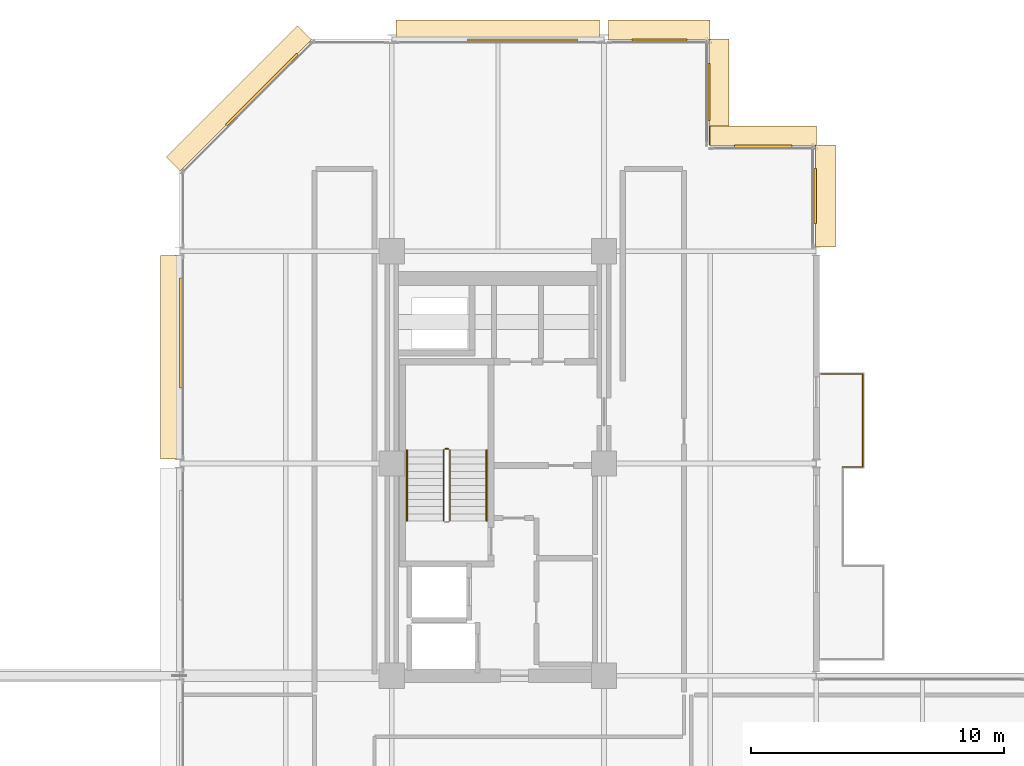
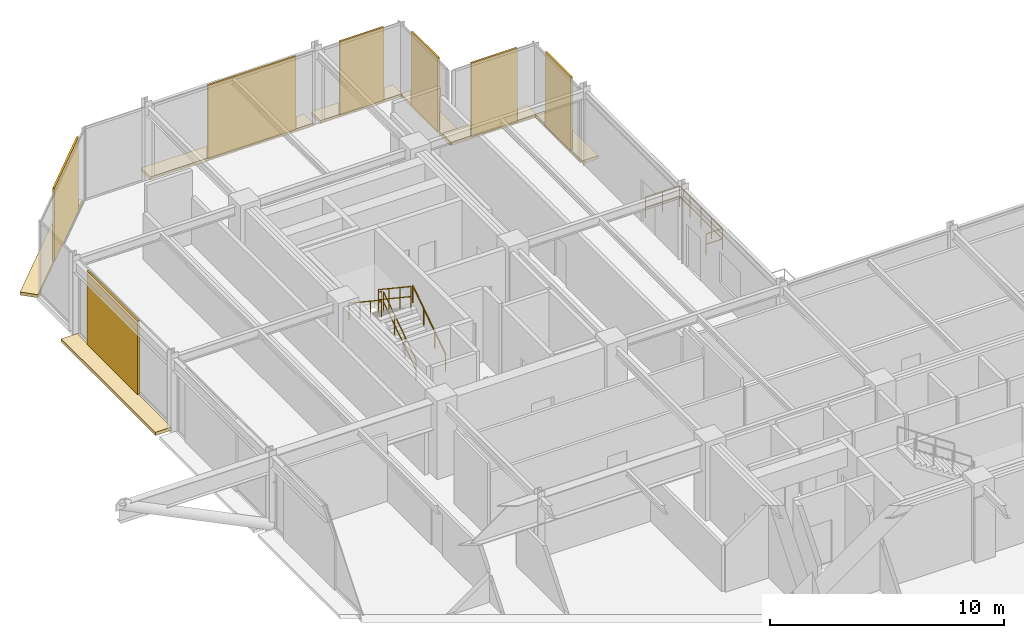
# One storey, part 30 of 30: 14 coverings, 8 railings.
"""IFC4 building model written with IfcOpenShell, lengths in metres."""

from ifc_helpers import new_model, si_unit, direction, frame, origin, origin_2d, place, context, subcontext, project, spatial, polyline, rectangle, circle, outline, extrude, material, layer, layer_set, type_object, element, save


model = new_model("IFC4")

# Units and contexts
model_context = context("Model", 3, precision=1e-05, world=origin(), true_north=direction((0.0, 1.0)))
body_context = subcontext(model_context, "Body", "Model", "MODEL_VIEW")
ifc_project = project(units=[si_unit("LENGTHUNIT", "METRE"), si_unit("AREAUNIT", "SQUARE_METRE"), si_unit("VOLUMEUNIT", "CUBIC_METRE"), si_unit("PLANEANGLEUNIT", "RADIAN"), si_unit("MASSUNIT", "GRAM", prefix="KILO")], contexts=[model_context])

# Site, building, storey
site_placement = place(None, origin())
site = spatial("IfcSite", under=ifc_project, at=site_placement, CompositionType="ELEMENT")
building_placement = place(site_placement, origin())
building = spatial("IfcBuilding", under=site, at=building_placement, Name="Nerrivon Quay Data Exchange", CompositionType="ELEMENT")
storey_placement = place(building_placement, frame((0.0, 0.0, 167.300048828125)))
storey = spatial("IfcBuildingStorey", under=building, at=storey_placement, Name="L39", CompositionType="ELEMENT", Elevation=167.300048828125)

# Coverings
ifc_material_1 = material(Name="Architectural terracotta ceramic", Category="masonry")
ifc_layer_1 = layer(ifc_material_1, 0.159912109375)
ifc_layer_set_1 = layer_set([ifc_layer_1], Name="Architectural terracotta ceramic")
covering_type_1 = type_object("IfcCoveringType", Name="COV-BLD-TERR", PredefinedType="CLADDING", material=ifc_layer_set_1)
covering_1_placement = place(storey_placement, frame((0.0, 0.0, -0.16015625)))
element("IfcCovering", 1, at=covering_1_placement, inside=storey, type_object=covering_type_1, Name="L39 Horizontal Terracotta SOLAR SCREEN Blade", PredefinedType="CLADDING", context=body_context, shape_type="SweptSolid", body=[
    extrude(outline(polyline([(0.0400390625, 33.77490234375), (0.0400390625, 41.824951171875), (-0.75, 41.824951171875), (-0.75, 33.77490234375), (0.0400390625, 33.77490234375)])), origin(), (0.0, 0.0, 1.0), 0.16015625),
])
covering_2_placement = place(storey_placement, frame((0.0, 0.0, -0.16015625)))
element("IfcCovering", 2, at=covering_2_placement, inside=storey, type_object=covering_type_1, Name="L39 Horizontal Terracotta SOLAR SCREEN Blade", PredefinedType="CLADDING", context=body_context, shape_type="SweptSolid", body=[
    extrude(outline(polyline([(0.0283203125, 45.171630859375), (5.228271484375, 50.37158203125), (4.669677734375, 50.930419921875), (-0.5302734375, 45.730224609375), (0.0283203125, 45.171630859375)])), origin(), (0.0, 0.0, 1.0), 0.16015625),
])
covering_3_placement = place(storey_placement, frame((0.0, 0.0, -0.16015625)))
element("IfcCovering", 3, at=covering_3_placement, inside=storey, type_object=covering_type_1, Name="L39 Horizontal Terracotta SOLAR SCREEN Blade", PredefinedType="CLADDING", context=body_context, shape_type="SweptSolid", body=[
    extrude(outline(polyline([(8.574951171875, 50.360107421875), (16.625, 50.360107421875), (16.625, 51.14990234375), (8.574951171875, 51.14990234375), (8.574951171875, 50.360107421875)])), origin(), (0.0, 0.0, 1.0), 0.16015625),
])
covering_4_placement = place(storey_placement, frame((0.0, 0.0, -0.16015625)))
element("IfcCovering", 4, at=covering_4_placement, inside=storey, type_object=covering_type_1, Name="L39 Horizontal Terracotta SOLAR SCREEN Blade", PredefinedType="CLADDING", context=body_context, shape_type="SweptSolid", body=[
    extrude(outline(polyline([(16.97509765625, 50.360107421875), (21.0, 50.360107421875), (21.0, 51.14990234375), (16.97509765625, 51.14990234375), (16.97509765625, 50.360107421875)])), origin(), (0.0, 0.0, 1.0), 0.16015625),
])
covering_5_placement = place(storey_placement, frame((0.0, 0.0, -0.16015625)))
element("IfcCovering", 5, at=covering_5_placement, inside=storey, type_object=covering_type_1, Name="L39 Horizontal Terracotta SOLAR SCREEN Blade", PredefinedType="CLADDING", context=body_context, shape_type="SweptSolid", body=[
    extrude(outline(polyline([(20.9599609375, 50.39990234375), (20.9599609375, 46.199951171875), (21.75, 46.199951171875), (21.75, 50.39990234375), (20.9599609375, 50.39990234375)])), origin(), (0.0, 0.0, 1.0), 0.16015625),
])
covering_6_placement = place(storey_placement, frame((0.0, 0.0, -0.16015625)))
element("IfcCovering", 6, at=covering_6_placement, inside=storey, type_object=covering_type_1, Name="L39 Horizontal Terracotta SOLAR SCREEN Blade", PredefinedType="CLADDING", context=body_context, shape_type="SweptSolid", body=[
    extrude(outline(polyline([(21.0, 46.159912109375), (25.199951171875, 46.159912109375), (25.199951171875, 46.949951171875), (21.0, 46.949951171875), (21.0, 46.159912109375)])), origin(), (0.0, 0.0, 1.0), 0.16015625),
])
covering_7_placement = place(storey_placement, frame((0.0, 0.0, -0.16015625)))
element("IfcCovering", 7, at=covering_7_placement, inside=storey, type_object=covering_type_1, Name="L39 Horizontal Terracotta SOLAR SCREEN Blade", PredefinedType="CLADDING", context=body_context, shape_type="SweptSolid", body=[
    extrude(outline(polyline([(25.159912109375, 46.199951171875), (25.159912109375, 42.175048828125), (25.949951171875, 42.175048828125), (25.949951171875, 46.199951171875), (25.159912109375, 46.199951171875)])), origin(), (0.0, 0.0, 1.0), 0.16015625),
])
ifc_layer_2 = layer(ifc_material_1, 0.090087890625)
ifc_layer_set_2 = layer_set([ifc_layer_2], Name="Architectural terracotta ceramic")
covering_type_2 = type_object("IfcCoveringType", Name="COV-SCR-TERR", PredefinedType="CLADDING", material=ifc_layer_set_2)
covering_8_placement = place(storey_placement, frame((0.044921875, 38.76611328125, 0.0), z_axis=(0.0, 0.0, 1.0), x_axis=(0.0, 1.0, 0.0)))
element("IfcCovering", 8, at=covering_8_placement, inside=storey, type_object=covering_type_2, Name="L39 Perforated Terracotta SOLAR SCREEN Cassette", PredefinedType="CLADDING", context=body_context, shape_type="SweptSolid", body=[
    extrude(rectangle(XDim=4.346923828125, YDim=0.090087890625, at=origin_2d()), origin(), (0.0, 0.0, 1.0), 3.824951171875),
])
covering_9_placement = place(storey_placement, frame((3.255859375, 48.39208984375, 0.0), z_axis=(0.0, 0.0, 1.0), x_axis=(0.707106781187, 0.707106781187, 0.0)))
element("IfcCovering", 9, at=covering_9_placement, inside=storey, type_object=covering_type_2, Name="L39 Perforated Terracotta SOLAR SCREEN Cassette", PredefinedType="CLADDING", context=body_context, shape_type="SweptSolid", body=[
    extrude(rectangle(XDim=3.970947265625, YDim=0.090087890625, at=origin_2d()), origin(), (0.0, 0.0, 1.0), 3.824951171875),
])
covering_10_placement = place(storey_placement, frame((13.56591796875, 50.35498046875, 0.0), z_axis=(0.0, 0.0, 1.0), x_axis=(1.0, 0.0, 0.0)))
element("IfcCovering", 10, at=covering_10_placement, inside=storey, type_object=covering_type_2, Name="L39 Perforated Terracotta SOLAR SCREEN Cassette", PredefinedType="CLADDING", context=body_context, shape_type="SweptSolid", body=[
    extrude(rectangle(XDim=4.346923828125, YDim=0.090087890625, at=origin_2d()), origin(), (0.0, 0.0, 1.0), 3.824951171875),
])
covering_11_placement = place(storey_placement, frame((18.987548828125, 50.35498046875, 0.0), z_axis=(0.0, 0.0, 1.0), x_axis=(1.0, 0.0, 0.0)))
element("IfcCovering", 11, at=covering_11_placement, inside=storey, type_object=covering_type_2, Name="L39 Perforated Terracotta SOLAR SCREEN Cassette", PredefinedType="CLADDING", context=body_context, shape_type="SweptSolid", body=[
    extrude(rectangle(XDim=2.173095703125, YDim=0.090087890625, at=origin_2d()), origin(), (0.0, 0.0, 1.0), 3.824951171875),
])
for number, where, z_axis, x_axis, name in (
    (12, (20.955078125, 48.300048828125, 0.0), (0.0, 0.0, 1.0), (0.0, -1.0, 0.0), "L39 Perforated Terracotta SOLAR SCREEN Cassette"),
    (13, (23.10009765625, 46.155029296875, 0.0), (0.0, 0.0, 1.0), (1.0, 0.0, 0.0), "L39 Perforated Terracotta SOLAR SCREEN Cassette"),
):
    element("IfcCovering", number, at=place(storey_placement, frame(where, z_axis=z_axis, x_axis=x_axis)), inside=storey, type_object=covering_type_2, Name=name, PredefinedType="CLADDING", context=body_context, shape_type="SweptSolid", body=[
        extrude(rectangle(XDim=2.26806640625, YDim=0.090087890625, at=origin_2d()), origin(), (0.0, 0.0, 1.0), 3.824951171875),
    ])
covering_12_placement = place(storey_placement, frame((25.155029296875, 44.1875, 0.0), z_axis=(0.0, 0.0, 1.0), x_axis=(0.0, -1.0, 0.0)))
element("IfcCovering", 14, at=covering_12_placement, inside=storey, type_object=covering_type_2, Name="L39 Perforated Terracotta SOLAR SCREEN Cassette", PredefinedType="CLADDING", context=body_context, shape_type="SweptSolid", body=[
    extrude(rectangle(XDim=2.174072265625, YDim=0.090087890625, at=origin_2d()), origin(), (0.0, 0.0, 1.0), 3.824951171875),
])

# Railings
ifc_material_2 = material(Name="Steel Grade C350L0 (350 MPa)", Category="steel")
railing_type_1 = type_object("IfcRailingType", Name="RAIL-GUARD-GR2", PredefinedType="BALUSTRADE", material=ifc_material_2)
railing_1_placement = place(storey_placement, frame((25.3798828125, 37.139892578125, 0.0)))
element("IfcRailing", 15, at=railing_1_placement, inside=storey, type_object=railing_type_1, Name="L39 Verandah Balcony Guard 1.4 1", PredefinedType="BALUSTRADE", context=body_context, shape_type="SweptSolid", body=[
    extrude(circle(Radius=0.02392578125, at=origin_2d()), frame((0.0, 0.0, 1.09619140625), z_axis=(1.0, 0.0, 0.0), x_axis=(0.0, 1.0, 0.0)), (0.0, 0.0, 1.0), 1.66015625),
    extrude(circle(Radius=0.02392578125, at=origin_2d()), frame((0.0, 0.0, 0.56005859375), z_axis=(1.0, 0.0, 0.0), x_axis=(0.0, 1.0, 0.0)), (0.0, 0.0, 1.0), 1.66015625),
    extrude(circle(Radius=0.02099609375, at=origin_2d()), origin(), (0.0, 0.0, 1.0), 1.072021484375),
    extrude(circle(Radius=0.02099609375, at=origin_2d()), frame((0.830078125, 0.0, 0.0)), (0.0, 0.0, 1.0), 1.072021484375),
    extrude(circle(Radius=0.02099609375, at=origin_2d()), frame((1.66015625, 0.0, 0.0)), (0.0, 0.0, 1.0), 1.072021484375),
])
railing_2_placement = place(storey_placement, frame((27.0400390625, 37.139892578125, 0.0)))
element("IfcRailing", 16, at=railing_2_placement, inside=storey, type_object=railing_type_1, Name="L39 Verandah Balcony Guard 1.5 1", PredefinedType="BALUSTRADE", context=body_context, shape_type="SweptSolid", body=[
    extrude(circle(Radius=0.02392578125, at=origin_2d()), frame((0.0, 0.0, 1.09619140625), z_axis=(0.0, -1.0, 0.0), x_axis=(1.0, 0.0, 0.0)), (0.0, 0.0, 1.0), 3.679931640625),
    extrude(circle(Radius=0.02392578125, at=origin_2d()), frame((0.0, 0.0, 0.56005859375), z_axis=(0.0, -1.0, 0.0), x_axis=(1.0, 0.0, 0.0)), (0.0, 0.0, 1.0), 3.679931640625),
    extrude(circle(Radius=0.02099609375, at=origin_2d()), origin(), (0.0, 0.0, 1.0), 1.072021484375),
    extrude(circle(Radius=0.02099609375, at=origin_2d()), frame((0.0, -0.919921875, 0.0)), (0.0, 0.0, 1.0), 1.072021484375),
    extrude(circle(Radius=0.02099609375, at=origin_2d()), frame((0.0, -1.83984375, 0.0)), (0.0, 0.0, 1.0), 1.072021484375),
    extrude(circle(Radius=0.02099609375, at=origin_2d()), frame((0.0, -2.760009765625, 0.0)), (0.0, 0.0, 1.0), 1.072021484375),
    extrude(circle(Radius=0.02099609375, at=origin_2d()), frame((0.0, -3.679931640625, 0.0)), (0.0, 0.0, 1.0), 1.072021484375),
])
railing_3_placement = place(storey_placement, frame((27.0400390625, 33.4599609375, 0.0)))
element("IfcRailing", 17, at=railing_3_placement, inside=storey, type_object=railing_type_1, Name="L39 Verandah Balcony Guard 1.6 1", PredefinedType="BALUSTRADE", context=body_context, shape_type="SweptSolid", body=[
    extrude(circle(Radius=0.02392578125, at=origin_2d()), frame((0.0, 0.0, 1.09619140625), z_axis=(-1.0, 0.0, 0.0), x_axis=(0.0, -1.0, 0.0)), (0.0, 0.0, 1.0), 0.800048828125),
    extrude(circle(Radius=0.02392578125, at=origin_2d()), frame((0.0, 0.0, 0.56005859375), z_axis=(-1.0, 0.0, 0.0), x_axis=(0.0, -1.0, 0.0)), (0.0, 0.0, 1.0), 0.800048828125),
    extrude(circle(Radius=0.02099609375, at=origin_2d()), origin(), (0.0, 0.0, 1.0), 1.072021484375),
    extrude(circle(Radius=0.02099609375, at=origin_2d()), frame((-0.800048828125, 0.0, 0.0)), (0.0, 0.0, 1.0), 1.072021484375),
])
railing_type_2 = type_object("IfcRailingType", Name="RAIL-HAND-HR1", PredefinedType="HANDRAIL", material=ifc_material_2)
railing_4_placement = place(storey_placement, frame((12.14990234375, 31.330078125, 0.186279296875)))
element("IfcRailing", 18, at=railing_4_placement, inside=storey, type_object=railing_type_2, Name="L39 ST01 stair handrail 1", PredefinedType="HANDRAIL", context=body_context, shape_type="SweptSolid", body=[
    extrude(circle(Radius=0.02392578125, at=origin_2d()), frame((0.0, 0.0, 0.8759765625), z_axis=(0.0, 0.832429786209, 0.554130536094), x_axis=(-1.0, 0.0, 0.0)), (0.0, 0.0, 1.0), 3.363525390625),
    extrude(circle(Radius=0.02099609375, at=origin_2d()), origin(), (0.0, 0.0, 1.0), 0.851806640625),
    extrude(circle(Radius=0.02099609375, at=origin_2d()), frame((0.0, 0.933349609375, 0.621337890625)), (0.0, 0.0, 1.0), 0.851806640625),
    extrude(circle(Radius=0.02099609375, at=origin_2d()), frame((0.0, 1.866455078125, 1.242431640625)), (0.0, 0.0, 1.0), 0.851806640625),
    extrude(circle(Radius=0.02099609375, at=origin_2d()), frame((0.0, 2.7998046875, 1.86376953125)), (0.0, 0.0, 1.0), 0.851806640625),
])
railing_5_placement = place(storey_placement, frame((9.0, 34.1298828125, 2.236328125)))
element("IfcRailing", 19, at=railing_5_placement, inside=storey, type_object=railing_type_2, Name="L39 ST01 stair handrail 2", PredefinedType="HANDRAIL", context=body_context, shape_type="SweptSolid", body=[
    extrude(circle(Radius=0.02392578125, at=origin_2d()), frame((0.0, 0.0, 0.8759765625), z_axis=(0.0, -0.832463268671, 0.554080234545), x_axis=(1.0, 0.0, 0.0)), (0.0, 0.0, 1.0), 3.36328125),
    extrude(circle(Radius=0.02099609375, at=origin_2d()), origin(), (0.0, 0.0, 1.0), 0.851806640625),
    extrude(circle(Radius=0.02099609375, at=origin_2d()), frame((0.0, -0.933349609375, 0.62109375)), (0.0, 0.0, 1.0), 0.851806640625),
    extrude(circle(Radius=0.02099609375, at=origin_2d()), frame((0.0, -1.866455078125, 1.242431640625)), (0.0, 0.0, 1.0), 0.851806640625),
    extrude(circle(Radius=0.02099609375, at=origin_2d()), frame((0.0, -2.7998046875, 1.863525390625)), (0.0, 0.0, 1.0), 0.851806640625),
])
railing_type_3 = type_object("IfcRailingType", Name="RAIL-STAIR-GR1", PredefinedType="BALUSTRADE", material=ifc_material_2)
railing_6_placement = place(storey_placement, frame((10.699951171875, 31.330078125, 0.186279296875)))
element("IfcRailing", 20, at=railing_6_placement, inside=storey, type_object=railing_type_3, Name="L39 ST01 stair guard 1", PredefinedType="BALUSTRADE", context=body_context, shape_type="SweptSolid", body=[
    extrude(circle(Radius=0.02392578125, at=origin_2d()), frame((0.0, 0.0, 1.076171875), z_axis=(0.0, 0.832429786209, 0.554130536094), x_axis=(-1.0, 0.0, 0.0)), (0.0, 0.0, 1.0), 3.363525390625),
    extrude(circle(Radius=0.02392578125, at=origin_2d()), frame((0.0, 0.0, 0.550048828125), z_axis=(0.0, 0.832429786209, 0.554130536094), x_axis=(-1.0, 0.0, 0.0)), (0.0, 0.0, 1.0), 3.363525390625),
    extrude(circle(Radius=0.02099609375, at=origin_2d()), origin(), (0.0, 0.0, 1.0), 1.052001953125),
    extrude(circle(Radius=0.02099609375, at=origin_2d()), frame((0.0, 0.933349609375, 0.621337890625)), (0.0, 0.0, 1.0), 1.052001953125),
    extrude(circle(Radius=0.02099609375, at=origin_2d()), frame((0.0, 1.866455078125, 1.242431640625)), (0.0, 0.0, 1.0), 1.052001953125),
    extrude(circle(Radius=0.02099609375, at=origin_2d()), frame((0.0, 2.7998046875, 1.86376953125)), (0.0, 0.0, 1.0), 1.052001953125),
])
railing_7_placement = place(storey_placement, frame((10.64990234375, 34.179931640625, 2.050048828125)))
element("IfcRailing", 21, at=railing_7_placement, inside=storey, type_object=railing_type_3, Name="L39 ST01 stair guard 2", PredefinedType="BALUSTRADE", context=body_context, shape_type="SweptSolid", body=[
    extrude(circle(Radius=0.02392578125, at=origin_2d()), frame((0.0, 0.0, 1.076171875), z_axis=(-1.0, 0.0, 0.0), x_axis=(0.0, -1.0, 0.0)), (0.0, 0.0, 1.0), 0.14990234375),
    extrude(circle(Radius=0.02392578125, at=origin_2d()), frame((0.0, 0.0, 0.550048828125), z_axis=(-1.0, 0.0, 0.0), x_axis=(0.0, -1.0, 0.0)), (0.0, 0.0, 1.0), 0.14990234375),
    extrude(circle(Radius=0.02099609375, at=origin_2d()), origin(), (0.0, 0.0, 1.0), 1.052001953125),
    extrude(circle(Radius=0.02099609375, at=origin_2d()), frame((-0.14990234375, 0.0, 0.0)), (0.0, 0.0, 1.0), 1.052001953125),
])
railing_8_placement = place(storey_placement, frame((10.449951171875, 34.1298828125, 2.236328125)))
element("IfcRailing", 22, at=railing_8_placement, inside=storey, type_object=railing_type_3, Name="L39 ST01 stair guard 3", PredefinedType="BALUSTRADE", context=body_context, shape_type="SweptSolid", body=[
    extrude(circle(Radius=0.02392578125, at=origin_2d()), frame((0.0, 0.0, 1.076171875), z_axis=(0.0, -0.832463268671, 0.554080234545), x_axis=(1.0, 0.0, 0.0)), (0.0, 0.0, 1.0), 3.36328125),
    extrude(circle(Radius=0.02392578125, at=origin_2d()), frame((0.0, 0.0, 0.550048828125), z_axis=(0.0, -0.832463268671, 0.554080234545), x_axis=(1.0, 0.0, 0.0)), (0.0, 0.0, 1.0), 3.36328125),
    extrude(circle(Radius=0.02099609375, at=origin_2d()), origin(), (0.0, 0.0, 1.0), 1.052001953125),
    extrude(circle(Radius=0.02099609375, at=origin_2d()), frame((0.0, -0.933349609375, 0.62109375)), (0.0, 0.0, 1.0), 1.052001953125),
    extrude(circle(Radius=0.02099609375, at=origin_2d()), frame((0.0, -1.866455078125, 1.242431640625)), (0.0, 0.0, 1.0), 1.052001953125),
    extrude(circle(Radius=0.02099609375, at=origin_2d()), frame((0.0, -2.7998046875, 1.863525390625)), (0.0, 0.0, 1.0), 1.052001953125),
])

save(model, "model.ifc")
